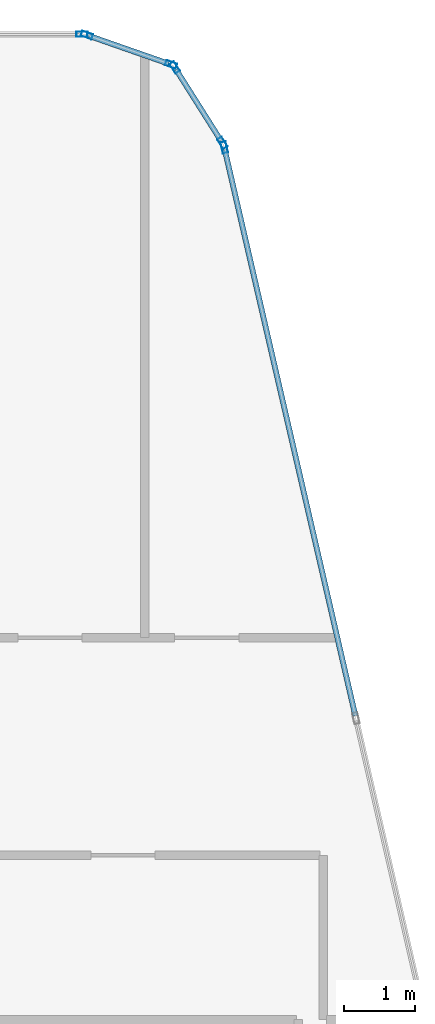
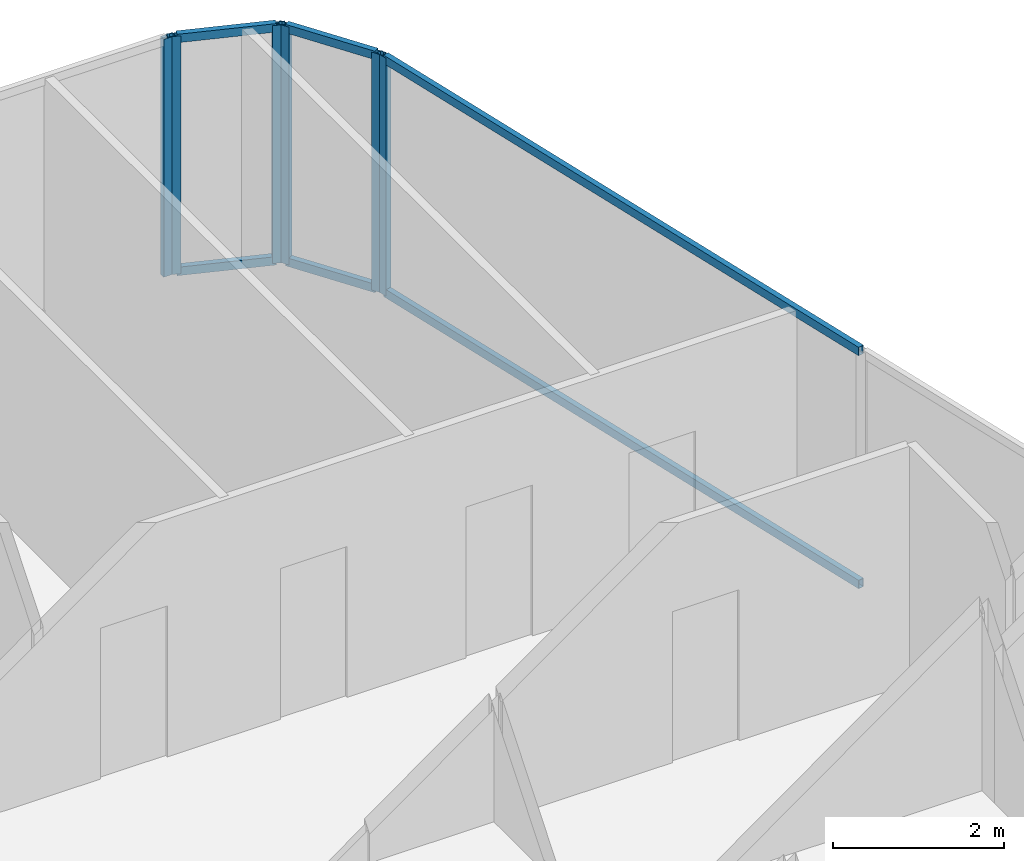
# One storey, part 21 of 31: 12 members, 4 elements without a shape of their own.
"""IFC4 building model written with IfcOpenShell, lengths in metres."""

from ifc_helpers import new_model, si_unit, direction, frame, origin, origin_2d, place, context, subcontext, project, spatial, hollow_rectangle, extrude, material, layer, layer_set, material_profile, profile_set, type_object, element, aggregate, save


model = new_model("IFC4")

# Units and contexts
model_context = context("Model", 3, precision=1e-05, world=origin(), true_north=direction((0.0, 1.0)))
body_context = subcontext(model_context, "Body", "Model", "MODEL_VIEW")
ifc_project = project(units=[si_unit("LENGTHUNIT", "METRE"), si_unit("AREAUNIT", "SQUARE_METRE"), si_unit("VOLUMEUNIT", "CUBIC_METRE"), si_unit("PLANEANGLEUNIT", "RADIAN"), si_unit("MASSUNIT", "GRAM", prefix="KILO")], contexts=[model_context])

# Site, building, storey
site_placement = place(None, origin())
site = spatial("IfcSite", under=ifc_project, at=site_placement, CompositionType="ELEMENT")
building_placement = place(site_placement, origin())
building = spatial("IfcBuilding", under=site, at=building_placement, Name="Keshet Zoharim Tower", CompositionType="ELEMENT")
storey_placement = place(building_placement, frame((0.0, 0.0, 276.89990234375)))
storey = spatial("IfcBuildingStorey", under=building, at=storey_placement, Name="L69", CompositionType="ELEMENT", Elevation=276.89990234375)

# Curtain wall, member
ifc_material = material(Name="Aluminium 6063-T6", Category="aluminium")
ifc_layer = layer(ifc_material, 0.260009765625)
ifc_layer_set = layer_set([ifc_layer], Name="Aluminium 6063-T6")
curtain_wall_type = type_object("IfcCurtainWallType", Name="CW-SYS-06", PredefinedType="NOTDEFINED", material=ifc_layer_set)
curtain_wall_1_placement = place(storey_placement, origin())
curtain_wall_1 = element("IfcCurtainWall", 1, at=curtain_wall_1_placement, inside=storey, type_object=curtain_wall_type, Name="L69 Unitised Curtain Wall 06 Part 3", PredefinedType="NOTDEFINED")
ifc_material_profile_1 = material_profile(ifc_material, hollow_rectangle(XDim=0.074951171875, YDim=0.159912109375, WallThickness=0.00390625, at=origin_2d()), Name="MUL-75x160")
ifc_profile_set_1 = profile_set([ifc_material_profile_1], Name="Aluminium 6063-T6")
member_type_1 = type_object("IfcMemberType", Name="CWM-M15", PredefinedType="MULLION", material=ifc_profile_set_1)
member_1_placement = place(storey_placement, frame((37.3740234375, 53.89990234375, 0.0), z_axis=(0.0, 0.0, 1.0), x_axis=(0.0, 1.0, 0.0)))
member_1 = element("IfcMember", 2, at=member_1_placement, type_object=member_type_1, Name="CW-06 mullion 2", PredefinedType="MULLION", context=body_context, shape_type="SweptSolid", body=[
    extrude(hollow_rectangle(XDim=0.074951171875, YDim=0.159912109375, WallThickness=0.00390625, at=origin_2d()), origin(), (0.0, 0.0, 1.0), 3.39013671875),
])
aggregate(curtain_wall_1, [member_1])

# Curtain wall, members
curtain_wall_2_placement = place(storey_placement, origin())
curtain_wall_2 = element("IfcCurtainWall", 3, at=curtain_wall_2_placement, inside=storey, type_object=curtain_wall_type, Name="L69 Unitised Curtain Wall 07", PredefinedType="NOTDEFINED")
member_2_placement = place(storey_placement, frame((37.442138671875, 53.888427734375, 0.0), z_axis=(0.0, 0.0, 1.0), x_axis=(0.329843743636, 0.944035542119, 0.0)))
member_2 = element("IfcMember", 4, at=member_2_placement, type_object=member_type_1, Name="CW-06 mullion 1", PredefinedType="MULLION", context=body_context, shape_type="SweptSolid", body=[
    extrude(hollow_rectangle(XDim=0.074951171875, YDim=0.159912109375, WallThickness=0.00390625, at=origin_2d()), origin(), (0.0, 0.0, 1.0), 3.39013671875),
])
member_3_placement = place(storey_placement, frame((38.620849609375, 53.4765625, 0.0), z_axis=(0.0, 0.0, 1.0), x_axis=(0.329843743636, 0.944035542119, 0.0)))
member_3 = element("IfcMember", 5, at=member_3_placement, type_object=member_type_1, Name="CW-06 mullion 2", PredefinedType="MULLION", context=body_context, shape_type="SweptSolid", body=[
    extrude(hollow_rectangle(XDim=0.074951171875, YDim=0.159912109375, WallThickness=0.00390625, at=origin_2d()), origin(), (0.0, 0.0, 1.0), 3.39013671875),
])

curtain_wall_3_placement = place(storey_placement, origin())
curtain_wall_3 = element("IfcCurtainWall", 6, at=curtain_wall_3_placement, inside=storey, type_object=curtain_wall_type, Name="L69 Unitised Curtain Wall 08", PredefinedType="NOTDEFINED")
member_4_placement = place(storey_placement, frame((38.672607421875, 53.435302734375, 0.0), z_axis=(0.0, 0.0, 1.0), x_axis=(0.845560976183, 0.533878858502, 0.0)))
member_4 = element("IfcMember", 7, at=member_4_placement, type_object=member_type_1, Name="CW-06 mullion 1", PredefinedType="MULLION", context=body_context, shape_type="SweptSolid", body=[
    extrude(hollow_rectangle(XDim=0.074951171875, YDim=0.159912109375, WallThickness=0.00390625, at=origin_2d()), origin(), (0.0, 0.0, 1.0), 3.39013671875),
])
member_5_placement = place(storey_placement, frame((39.33935546875, 52.379638671875, 0.0), z_axis=(0.0, 0.0, 1.0), x_axis=(0.845560976183, 0.533878858502, 0.0)))
member_5 = element("IfcMember", 8, at=member_5_placement, type_object=member_type_1, Name="CW-06 mullion 2", PredefinedType="MULLION", context=body_context, shape_type="SweptSolid", body=[
    extrude(hollow_rectangle(XDim=0.074951171875, YDim=0.159912109375, WallThickness=0.00390625, at=origin_2d()), origin(), (0.0, 0.0, 1.0), 3.39013671875),
])

# Curtain wall, member
curtain_wall_4_placement = place(storey_placement, origin())
curtain_wall_4 = element("IfcCurtainWall", 9, at=curtain_wall_4_placement, inside=storey, type_object=curtain_wall_type, Name="L69 Unitised Curtain Wall 09", PredefinedType="NOTDEFINED")
member_6_placement = place(storey_placement, frame((39.365966796875, 52.31591796875, 0.0), z_axis=(0.0, 0.0, 1.0), x_axis=(0.974398012932, 0.224829963294, 0.0)))
member_6 = element("IfcMember", 10, at=member_6_placement, type_object=member_type_1, Name="CW-06 mullion 1", PredefinedType="MULLION", context=body_context, shape_type="SweptSolid", body=[
    extrude(hollow_rectangle(XDim=0.074951171875, YDim=0.159912109375, WallThickness=0.00390625, at=origin_2d()), origin(), (0.0, 0.0, 1.0), 3.39013671875),
])

# Member
ifc_material_profile_2 = material_profile(ifc_material, hollow_rectangle(XDim=0.074951171875, YDim=0.1201171875, WallThickness=0.00390625, at=origin_2d()), Name="TRN-75x120")
ifc_profile_set_2 = profile_set([ifc_material_profile_2], Name="Aluminium 6063-T6")
member_type_2 = type_object("IfcMemberType", Name="CWT-T12", PredefinedType="USERDEFINED", material=ifc_profile_set_2)
member_7_placement = place(storey_placement, frame((37.47509765625, 53.876953125, 0.03515625), z_axis=(0.944006789648, -0.329926023675, 0.0), x_axis=(0.329926023675, 0.944006789648, 0.0)))
member_7 = element("IfcMember", 11, at=member_7_placement, type_object=member_type_2, Name="CW-06 transom 1.1", ObjectType="TRANSOM", PredefinedType="USERDEFINED", context=body_context, shape_type="SweptSolid", body=[
    extrude(hollow_rectangle(XDim=0.074951171875, YDim=0.1201171875, WallThickness=0.00390625, at=origin_2d()), origin(), (0.0, 0.0, 1.0), 1.1787109375),
])

member_8_placement = place(storey_placement, frame((37.47509765625, 53.876953125, 3.35498046875), z_axis=(0.944006789648, -0.329926023675, 0.0), x_axis=(0.329926023675, 0.944006789648, 0.0)))
member_8 = element("IfcMember", 12, at=member_8_placement, type_object=member_type_2, Name="CW-06 transom 1.2", ObjectType="TRANSOM", PredefinedType="USERDEFINED", context=body_context, shape_type="SweptSolid", body=[
    extrude(hollow_rectangle(XDim=0.074951171875, YDim=0.1201171875, WallThickness=0.00390625, at=origin_2d()), origin(), (0.0, 0.0, 1.0), 1.1787109375),
])

aggregate(curtain_wall_2, [member_2, member_3, member_7, member_8])

member_9_placement = place(storey_placement, frame((38.69140625, 53.40576171875, 0.03515625), z_axis=(0.53382931122, -0.845592257819, 0.0), x_axis=(0.845592257819, 0.53382931122, 0.0)))
member_9 = element("IfcMember", 13, at=member_9_placement, type_object=member_type_2, Name="CW-06 transom 1.1", ObjectType="TRANSOM", PredefinedType="USERDEFINED", context=body_context, shape_type="SweptSolid", body=[
    extrude(hollow_rectangle(XDim=0.074951171875, YDim=0.1201171875, WallThickness=0.00390625, at=origin_2d()), origin(), (0.0, 0.0, 1.0), 1.178466796875),
])

member_10_placement = place(storey_placement, frame((38.69140625, 53.40576171875, 3.35498046875), z_axis=(0.53382931122, -0.845592257819, 0.0), x_axis=(0.845592257819, 0.53382931122, 0.0)))
member_10 = element("IfcMember", 14, at=member_10_placement, type_object=member_type_2, Name="CW-06 transom 1.2", ObjectType="TRANSOM", PredefinedType="USERDEFINED", context=body_context, shape_type="SweptSolid", body=[
    extrude(hollow_rectangle(XDim=0.074951171875, YDim=0.1201171875, WallThickness=0.00390625, at=origin_2d()), origin(), (0.0, 0.0, 1.0), 1.178466796875),
])

aggregate(curtain_wall_3, [member_4, member_5, member_9, member_10])

member_11_placement = place(storey_placement, frame((39.373779296875, 52.28173828125, 0.03515625), z_axis=(0.224835397421, -0.97439675906, 0.0), x_axis=(0.97439675906, 0.224835397421, 0.0)))
member_11 = element("IfcMember", 15, at=member_11_placement, type_object=member_type_2, Name="CW-06 transom 1.1", ObjectType="TRANSOM", PredefinedType="USERDEFINED", context=body_context, shape_type="SweptSolid", body=[
    extrude(hollow_rectangle(XDim=0.074951171875, YDim=0.1201171875, WallThickness=0.00390625, at=origin_2d()), origin(), (0.0, 0.0, 1.0), 8.13525390625),
])

member_12_placement = place(storey_placement, frame((39.373779296875, 52.28173828125, 3.35498046875), z_axis=(0.224835397421, -0.97439675906, 0.0), x_axis=(0.97439675906, 0.224835397421, 0.0)))
member_12 = element("IfcMember", 16, at=member_12_placement, type_object=member_type_2, Name="CW-06 transom 1.2", ObjectType="TRANSOM", PredefinedType="USERDEFINED", context=body_context, shape_type="SweptSolid", body=[
    extrude(hollow_rectangle(XDim=0.074951171875, YDim=0.1201171875, WallThickness=0.00390625, at=origin_2d()), origin(), (0.0, 0.0, 1.0), 8.13525390625),
])

aggregate(curtain_wall_4, [member_6, member_11, member_12])

save(model, "model.ifc")
